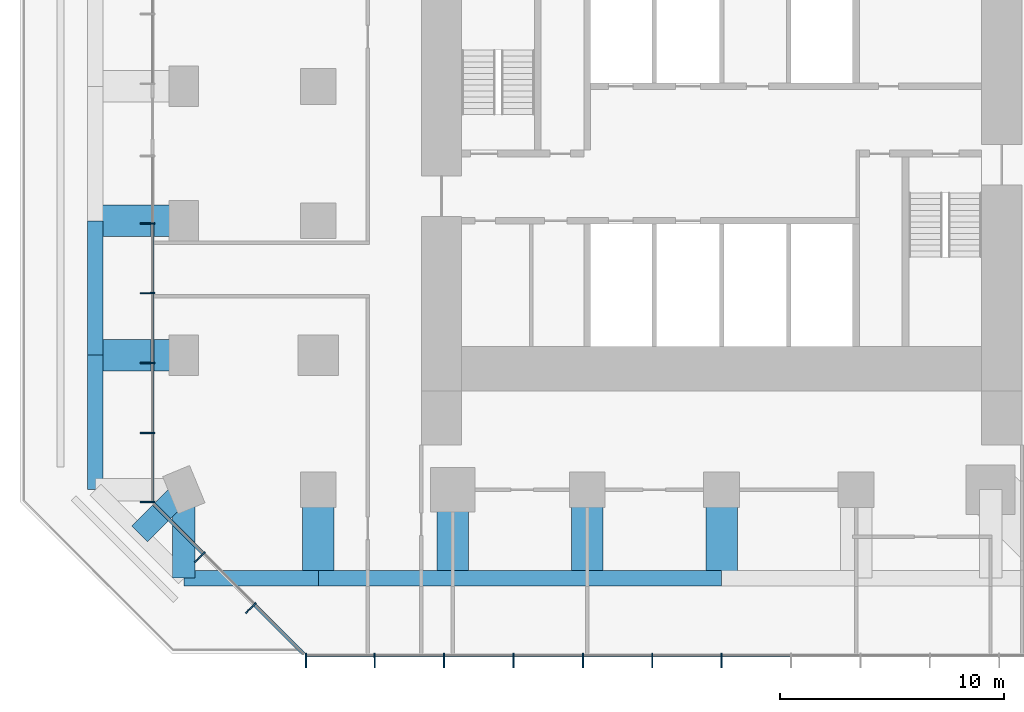
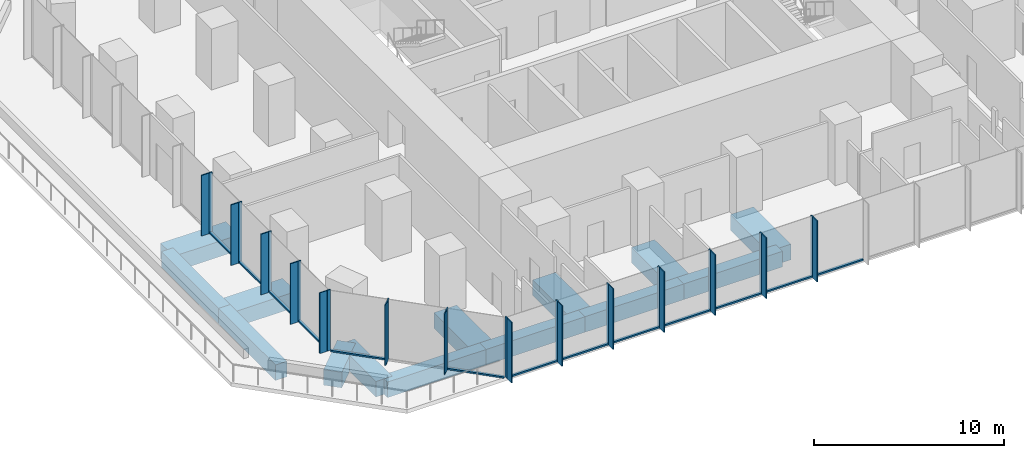
# One storey, part 2 of 11: 41 members, 14 beams, 3 elements without a shape of their own.
"""IFC4 building model written with IfcOpenShell, lengths in metres."""

from ifc_helpers import new_model, si_unit, direction, frame, origin, origin_2d, place, context, subcontext, project, spatial, rectangle, extrude, material, layer, layer_set, material_profile, profile_set, type_object, element, aggregate, save


model = new_model("IFC4")

# Units and contexts
model_context = context("Model", 3, precision=1e-05, world=origin(), true_north=direction((0.0, 1.0)))
body_context = subcontext(model_context, "Body", "Model", "MODEL_VIEW")
ifc_project = project(units=[si_unit("LENGTHUNIT", "METRE"), si_unit("AREAUNIT", "SQUARE_METRE"), si_unit("VOLUMEUNIT", "CUBIC_METRE"), si_unit("PLANEANGLEUNIT", "RADIAN"), si_unit("MASSUNIT", "GRAM", prefix="KILO")], contexts=[model_context])

# Site, building, storey
site_placement = place(None, origin())
site = spatial("IfcSite", under=ifc_project, at=site_placement, CompositionType="ELEMENT")
building_placement = place(site_placement, origin())
building = spatial("IfcBuilding", under=site, at=building_placement, Name="Highveld Stack Headquarters", CompositionType="ELEMENT")
storey_placement = place(building_placement, frame((0.0, 0.0, 140.60009765625)))
storey = spatial("IfcBuildingStorey", under=building, at=storey_placement, Name="L34", CompositionType="ELEMENT", Elevation=140.60009765625)

# Beams
ifc_material_1 = material(Name="Concrete C60/75", Category="concrete")
ifc_material_profile_1 = material_profile(ifc_material_1, rectangle(XDim=1.0, YDim=1.0, at=origin_2d()), Name="RC 1000x1000")
ifc_profile_set_1 = profile_set([ifc_material_profile_1], Name="Concrete C60/75")
beam_type_1 = type_object("IfcBeamType", Name="CANTILEVER RIB RC 1000x1000", PredefinedType="USERDEFINED", material=ifc_profile_set_1)
beam_1_placement = place(storey_placement, frame((-18.0, -12.0, -0.75), z_axis=(0.0, -1.0, 0.0), x_axis=(1.0, 0.0, 0.0)))
element("IfcBeam", 1, at=beam_1_placement, inside=storey, type_object=beam_type_1, Name="Cantilever rib 3/C L34", ObjectType="CANTILEVER RIB", PredefinedType="USERDEFINED", context=body_context, shape_type="SweptSolid", body=[
    extrude(rectangle(XDim=1.0, YDim=1.0, at=origin_2d()), origin(), (0.0, 0.0, 1.0), 3.949951171875),
])
beam_2_placement = place(storey_placement, frame((-18.0, -12.0, -0.75), z_axis=(-0.707106781187, -0.707106781187, 0.0), x_axis=(0.707106781187, -0.707106781187, 0.0)))
element("IfcBeam", 2, at=beam_2_placement, inside=storey, type_object=beam_type_1, Name="Cantilever rib 3/C L34", ObjectType="CANTILEVER RIB", PredefinedType="USERDEFINED", context=body_context, shape_type="SweptSolid", body=[
    extrude(rectangle(XDim=1.0, YDim=1.0, at=origin_2d()), origin(), (0.0, 0.0, 1.0), 2.793212890625),
])
ifc_material_2 = material(Name="Concrete C60/75", Category="concrete")
ifc_material_profile_2 = material_profile(ifc_material_2, rectangle(XDim=1.39990234375, YDim=1.0, at=origin_2d()), Name="RC 1400x1000")
ifc_profile_set_2 = profile_set([ifc_material_profile_2], Name="Concrete C60/75")
beam_type_2 = type_object("IfcBeamType", Name="CANTILEVER RIB RC 1400x1000", PredefinedType="USERDEFINED", material=ifc_profile_set_2)
for number, where, z_axis, x_axis, name in (
    (3, (-18.0, -6.0, -0.75), (-1.0, 0.0, 0.0), (0.0, -1.0, 0.0), "Cantilever rib 3/D L34"),
    (4, (-18.0, 0.0, -0.75), (-1.0, 0.0, 0.0), (0.0, -1.0, 0.0), "Cantilever rib 3/E L34"),
    (5, (-12.0, -12.0, -0.75), (0.0, -1.0, 0.0), (1.0, 0.0, 0.0), "Cantilever rib 4/C L34"),
    (6, (-6.0, -12.0, -0.75), (0.0, -1.0, 0.0), (1.0, 0.0, 0.0), "Cantilever rib 5/C L34"),
    (7, (0.0, -12.0, -0.75), (0.0, -1.0, 0.0), (1.0, 0.0, 0.0), "Cantilever rib 6/C L34"),
    (8, (6.0, -12.0, -0.75), (0.0, -1.0, 0.0), (1.0, 0.0, 0.0), "Cantilever rib 7/C L34"),
):
    element("IfcBeam", number, at=place(storey_placement, frame(where, z_axis=z_axis, x_axis=x_axis)), inside=storey, type_object=beam_type_2, Name=name, ObjectType="CANTILEVER RIB", PredefinedType="USERDEFINED", context=body_context, shape_type="SweptSolid", body=[
        extrude(rectangle(XDim=1.39990234375, YDim=1.0, at=origin_2d()), origin(), (0.0, 0.0, 1.0), 3.949951171875),
    ])

# Curtain wall, members
ifc_material_3 = material(Name="Aluminium bronze anodised", Category="aluminium")
ifc_layer_1 = layer(ifc_material_3, 0.199951171875)
ifc_layer_set_1 = layer_set([ifc_layer_1], Name="Aluminium bronze anodised")
curtain_wall_type_1 = type_object("IfcCurtainWallType", Name="CW1 TOWER UNITISED CURTAIN WALL", PredefinedType="NOTDEFINED", material=ifc_layer_set_1)
curtain_wall_1_placement = place(storey_placement, origin())
curtain_wall_1 = element("IfcCurtainWall", 9, at=curtain_wall_1_placement, inside=storey, type_object=curtain_wall_type_1, Name="Curtain wall CW1 L34 S", PredefinedType="NOTDEFINED")
ifc_material_4 = material(Name="Aluminium bronze anodised", Category="aluminium")
ifc_material_profile_3 = material_profile(ifc_material_4, rectangle(XDim=0.449951171875, YDim=0.06005859375, at=origin_2d()), Name="FIN 450x60")
ifc_profile_set_3 = profile_set([ifc_material_profile_3], Name="Aluminium bronze anodised")
member_type_1 = type_object("IfcMemberType", Name="CW1 BRONZE FIN 450x60", PredefinedType="USERDEFINED", material=ifc_profile_set_3)
member_1_placement = place(storey_placement, frame((-12.54736328125, -19.72509765625, 0.0), z_axis=(0.0, 0.0, 1.0), x_axis=(0.0, 1.0, 0.0)))
member_1 = element("IfcMember", 10, at=member_1_placement, type_object=member_type_1, Name="CW1 fin L34 1", ObjectType="FIN", PredefinedType="USERDEFINED", context=body_context, shape_type="SweptSolid", body=[
    extrude(rectangle(XDim=0.449951171875, YDim=0.06005859375, at=origin_2d()), origin(), (0.0, 0.0, 1.0), 3.89990234375),
])
member_2_placement = place(storey_placement, frame((-9.483154296875, -19.72509765625, 0.0), z_axis=(0.0, 0.0, 1.0), x_axis=(0.0, 1.0, 0.0)))
member_2 = element("IfcMember", 11, at=member_2_placement, type_object=member_type_1, Name="CW1 fin L34 2", ObjectType="FIN", PredefinedType="USERDEFINED", context=body_context, shape_type="SweptSolid", body=[
    extrude(rectangle(XDim=0.449951171875, YDim=0.06005859375, at=origin_2d()), origin(), (0.0, 0.0, 1.0), 3.89990234375),
])
member_3_placement = place(storey_placement, frame((-6.38671875, -19.72509765625, 0.0), z_axis=(0.0, 0.0, 1.0), x_axis=(0.0, 1.0, 0.0)))
member_3 = element("IfcMember", 12, at=member_3_placement, type_object=member_type_1, Name="CW1 fin L34 3", ObjectType="FIN", PredefinedType="USERDEFINED", context=body_context, shape_type="SweptSolid", body=[
    extrude(rectangle(XDim=0.449951171875, YDim=0.06005859375, at=origin_2d()), origin(), (0.0, 0.0, 1.0), 3.89990234375),
])
member_4_placement = place(storey_placement, frame((-3.2900390625, -19.72509765625, 0.0), z_axis=(0.0, 0.0, 1.0), x_axis=(0.0, 1.0, 0.0)))
member_4 = element("IfcMember", 13, at=member_4_placement, type_object=member_type_1, Name="CW1 fin L34 4", ObjectType="FIN", PredefinedType="USERDEFINED", context=body_context, shape_type="SweptSolid", body=[
    extrude(rectangle(XDim=0.449951171875, YDim=0.06005859375, at=origin_2d()), origin(), (0.0, 0.0, 1.0), 3.89990234375),
])
member_5_placement = place(storey_placement, frame((-0.193359375, -19.72509765625, 0.0), z_axis=(0.0, 0.0, 1.0), x_axis=(0.0, 1.0, 0.0)))
member_5 = element("IfcMember", 14, at=member_5_placement, type_object=member_type_1, Name="CW1 fin L34 5", ObjectType="FIN", PredefinedType="USERDEFINED", context=body_context, shape_type="SweptSolid", body=[
    extrude(rectangle(XDim=0.449951171875, YDim=0.06005859375, at=origin_2d()), origin(), (0.0, 0.0, 1.0), 3.89990234375),
])
member_6_placement = place(storey_placement, frame((2.9033203125, -19.72509765625, 0.0), z_axis=(0.0, 0.0, 1.0), x_axis=(0.0, 1.0, 0.0)))
member_6 = element("IfcMember", 15, at=member_6_placement, type_object=member_type_1, Name="CW1 fin L34 6", ObjectType="FIN", PredefinedType="USERDEFINED", context=body_context, shape_type="SweptSolid", body=[
    extrude(rectangle(XDim=0.449951171875, YDim=0.06005859375, at=origin_2d()), origin(), (0.0, 0.0, 1.0), 3.89990234375),
])
member_7_placement = place(storey_placement, frame((6.0, -19.72509765625, 0.0), z_axis=(0.0, 0.0, 1.0), x_axis=(0.0, 1.0, 0.0)))
member_7 = element("IfcMember", 16, at=member_7_placement, type_object=member_type_1, Name="CW1 fin L34 7", ObjectType="FIN", PredefinedType="USERDEFINED", context=body_context, shape_type="SweptSolid", body=[
    extrude(rectangle(XDim=0.449951171875, YDim=0.06005859375, at=origin_2d()), origin(), (0.0, 0.0, 1.0), 3.89990234375),
])

curtain_wall_2_placement = place(storey_placement, origin())
curtain_wall_2 = element("IfcCurtainWall", 17, at=curtain_wall_2_placement, inside=storey, type_object=curtain_wall_type_1, Name="Curtain wall CW1 L34 W-2", PredefinedType="NOTDEFINED")
member_8_placement = place(storey_placement, frame((-19.72509765625, -0.115966796875, 0.0), z_axis=(0.0, 0.0, 1.0), x_axis=(1.0, 0.0, 0.0)))
member_8 = element("IfcMember", 18, at=member_8_placement, type_object=member_type_1, Name="CW1 fin L34 2", ObjectType="FIN", PredefinedType="USERDEFINED", context=body_context, shape_type="SweptSolid", body=[
    extrude(rectangle(XDim=0.449951171875, YDim=0.06005859375, at=origin_2d()), origin(), (0.0, 0.0, 1.0), 3.89990234375),
])
member_9_placement = place(storey_placement, frame((-19.72509765625, -3.23193359375, 0.0), z_axis=(0.0, 0.0, 1.0), x_axis=(1.0, 0.0, 0.0)))
member_9 = element("IfcMember", 19, at=member_9_placement, type_object=member_type_1, Name="CW1 fin L34 3", ObjectType="FIN", PredefinedType="USERDEFINED", context=body_context, shape_type="SweptSolid", body=[
    extrude(rectangle(XDim=0.449951171875, YDim=0.06005859375, at=origin_2d()), origin(), (0.0, 0.0, 1.0), 3.89990234375),
])
member_10_placement = place(storey_placement, frame((-19.72509765625, -6.347900390625, 0.0), z_axis=(0.0, 0.0, 1.0), x_axis=(1.0, 0.0, 0.0)))
member_10 = element("IfcMember", 20, at=member_10_placement, type_object=member_type_1, Name="CW1 fin L34 4", ObjectType="FIN", PredefinedType="USERDEFINED", context=body_context, shape_type="SweptSolid", body=[
    extrude(rectangle(XDim=0.449951171875, YDim=0.06005859375, at=origin_2d()), origin(), (0.0, 0.0, 1.0), 3.89990234375),
])
member_11_placement = place(storey_placement, frame((-19.72509765625, -9.4638671875, 0.0), z_axis=(0.0, 0.0, 1.0), x_axis=(1.0, 0.0, 0.0)))
member_11 = element("IfcMember", 21, at=member_11_placement, type_object=member_type_1, Name="CW1 fin L34 5", ObjectType="FIN", PredefinedType="USERDEFINED", context=body_context, shape_type="SweptSolid", body=[
    extrude(rectangle(XDim=0.449951171875, YDim=0.06005859375, at=origin_2d()), origin(), (0.0, 0.0, 1.0), 3.89990234375),
])
member_12_placement = place(storey_placement, frame((-19.72509765625, -12.54736328125, 0.0), z_axis=(0.0, 0.0, 1.0), x_axis=(1.0, 0.0, 0.0)))
member_12 = element("IfcMember", 22, at=member_12_placement, type_object=member_type_1, Name="CW1 fin L34 6", ObjectType="FIN", PredefinedType="USERDEFINED", context=body_context, shape_type="SweptSolid", body=[
    extrude(rectangle(XDim=0.449951171875, YDim=0.06005859375, at=origin_2d()), origin(), (0.0, 0.0, 1.0), 3.89990234375),
])

# Member
ifc_material_5 = material(Name="Aluminium bronze anodised", Category="aluminium")
ifc_material_profile_4 = material_profile(ifc_material_5, rectangle(XDim=0.199951171875, YDim=0.06494140625, at=origin_2d()), Name="CW1 MULLION 65x200")
ifc_profile_set_4 = profile_set([ifc_material_profile_4], Name="Aluminium bronze anodised")
member_type_2 = type_object("IfcMemberType", Name="CW1 MULLION 65x200", PredefinedType="MULLION", material=ifc_profile_set_4)
member_13_placement = place(storey_placement, frame((-12.54736328125, -19.39990234375, 0.0), z_axis=(0.0, 0.0, 1.0), x_axis=(0.0, 1.0, 0.0)))
member_13 = element("IfcMember", 23, at=member_13_placement, type_object=member_type_2, Name="CW1 mullion L34 1", PredefinedType="MULLION", context=body_context, shape_type="SweptSolid", body=[
    extrude(rectangle(XDim=0.199951171875, YDim=0.06494140625, at=origin_2d()), origin(), (0.0, 0.0, 1.0), 3.89990234375),
])

member_14_placement = place(storey_placement, frame((-9.483154296875, -19.39990234375, 0.0), z_axis=(0.0, 0.0, 1.0), x_axis=(0.0, 1.0, 0.0)))
member_14 = element("IfcMember", 24, at=member_14_placement, type_object=member_type_2, Name="CW1 mullion L34 2", PredefinedType="MULLION", context=body_context, shape_type="SweptSolid", body=[
    extrude(rectangle(XDim=0.199951171875, YDim=0.06494140625, at=origin_2d()), origin(), (0.0, 0.0, 1.0), 3.89990234375),
])

member_15_placement = place(storey_placement, frame((-6.38671875, -19.39990234375, 0.0), z_axis=(0.0, 0.0, 1.0), x_axis=(0.0, 1.0, 0.0)))
member_15 = element("IfcMember", 25, at=member_15_placement, type_object=member_type_2, Name="CW1 mullion L34 3", PredefinedType="MULLION", context=body_context, shape_type="SweptSolid", body=[
    extrude(rectangle(XDim=0.199951171875, YDim=0.06494140625, at=origin_2d()), origin(), (0.0, 0.0, 1.0), 3.89990234375),
])

member_16_placement = place(storey_placement, frame((-3.2900390625, -19.39990234375, 0.0), z_axis=(0.0, 0.0, 1.0), x_axis=(0.0, 1.0, 0.0)))
member_16 = element("IfcMember", 26, at=member_16_placement, type_object=member_type_2, Name="CW1 mullion L34 4", PredefinedType="MULLION", context=body_context, shape_type="SweptSolid", body=[
    extrude(rectangle(XDim=0.199951171875, YDim=0.06494140625, at=origin_2d()), origin(), (0.0, 0.0, 1.0), 3.89990234375),
])

member_17_placement = place(storey_placement, frame((-0.193359375, -19.39990234375, 0.0), z_axis=(0.0, 0.0, 1.0), x_axis=(0.0, 1.0, 0.0)))
member_17 = element("IfcMember", 27, at=member_17_placement, type_object=member_type_2, Name="CW1 mullion L34 5", PredefinedType="MULLION", context=body_context, shape_type="SweptSolid", body=[
    extrude(rectangle(XDim=0.199951171875, YDim=0.06494140625, at=origin_2d()), origin(), (0.0, 0.0, 1.0), 3.89990234375),
])

member_18_placement = place(storey_placement, frame((2.9033203125, -19.39990234375, 0.0), z_axis=(0.0, 0.0, 1.0), x_axis=(0.0, 1.0, 0.0)))
member_18 = element("IfcMember", 28, at=member_18_placement, type_object=member_type_2, Name="CW1 mullion L34 6", PredefinedType="MULLION", context=body_context, shape_type="SweptSolid", body=[
    extrude(rectangle(XDim=0.199951171875, YDim=0.06494140625, at=origin_2d()), origin(), (0.0, 0.0, 1.0), 3.89990234375),
])

member_19_placement = place(storey_placement, frame((6.0, -19.39990234375, 0.0), z_axis=(0.0, 0.0, 1.0), x_axis=(0.0, 1.0, 0.0)))
member_19 = element("IfcMember", 29, at=member_19_placement, type_object=member_type_2, Name="CW1 mullion L34 7", PredefinedType="MULLION", context=body_context, shape_type="SweptSolid", body=[
    extrude(rectangle(XDim=0.199951171875, YDim=0.06494140625, at=origin_2d()), origin(), (0.0, 0.0, 1.0), 3.89990234375),
])

member_20_placement = place(storey_placement, frame((-19.39990234375, -0.115966796875, 0.0), z_axis=(0.0, 0.0, 1.0), x_axis=(1.0, 0.0, 0.0)))
member_20 = element("IfcMember", 30, at=member_20_placement, type_object=member_type_2, Name="CW1 mullion L34 2", PredefinedType="MULLION", context=body_context, shape_type="SweptSolid", body=[
    extrude(rectangle(XDim=0.199951171875, YDim=0.06494140625, at=origin_2d()), origin(), (0.0, 0.0, 1.0), 3.89990234375),
])

member_21_placement = place(storey_placement, frame((-19.39990234375, -3.23193359375, 0.0), z_axis=(0.0, 0.0, 1.0), x_axis=(1.0, 0.0, 0.0)))
member_21 = element("IfcMember", 31, at=member_21_placement, type_object=member_type_2, Name="CW1 mullion L34 3", PredefinedType="MULLION", context=body_context, shape_type="SweptSolid", body=[
    extrude(rectangle(XDim=0.199951171875, YDim=0.06494140625, at=origin_2d()), origin(), (0.0, 0.0, 1.0), 3.89990234375),
])

member_22_placement = place(storey_placement, frame((-19.39990234375, -6.347900390625, 0.0), z_axis=(0.0, 0.0, 1.0), x_axis=(1.0, 0.0, 0.0)))
member_22 = element("IfcMember", 32, at=member_22_placement, type_object=member_type_2, Name="CW1 mullion L34 4", PredefinedType="MULLION", context=body_context, shape_type="SweptSolid", body=[
    extrude(rectangle(XDim=0.199951171875, YDim=0.06494140625, at=origin_2d()), origin(), (0.0, 0.0, 1.0), 3.89990234375),
])

member_23_placement = place(storey_placement, frame((-19.39990234375, -9.4638671875, 0.0), z_axis=(0.0, 0.0, 1.0), x_axis=(1.0, 0.0, 0.0)))
member_23 = element("IfcMember", 33, at=member_23_placement, type_object=member_type_2, Name="CW1 mullion L34 5", PredefinedType="MULLION", context=body_context, shape_type="SweptSolid", body=[
    extrude(rectangle(XDim=0.199951171875, YDim=0.06494140625, at=origin_2d()), origin(), (0.0, 0.0, 1.0), 3.89990234375),
])

member_24_placement = place(storey_placement, frame((-19.39990234375, -12.54736328125, 0.0), z_axis=(0.0, 0.0, 1.0), x_axis=(1.0, 0.0, 0.0)))
member_24 = element("IfcMember", 34, at=member_24_placement, type_object=member_type_2, Name="CW1 mullion L34 6", PredefinedType="MULLION", context=body_context, shape_type="SweptSolid", body=[
    extrude(rectangle(XDim=0.199951171875, YDim=0.06494140625, at=origin_2d()), origin(), (0.0, 0.0, 1.0), 3.89990234375),
])

ifc_material_6 = material(Name="Aluminium bronze anodised", Category="aluminium")
ifc_material_profile_5 = material_profile(ifc_material_6, rectangle(XDim=0.14990234375, YDim=0.10009765625, at=origin_2d()), Name="CW1 TRANSOM 150x100")
ifc_profile_set_5 = profile_set([ifc_material_profile_5], Name="Aluminium bronze anodised")
member_type_3 = type_object("IfcMemberType", Name="CW1 STACK TRANSOM 150x100", PredefinedType="USERDEFINED", material=ifc_profile_set_5)
member_25_placement = place(storey_placement, frame((-12.514892578125, -19.39990234375, 0.0498046875), z_axis=(1.0, 0.0, 0.0), x_axis=(0.0, 1.0, 0.0)))
member_25 = element("IfcMember", 35, at=member_25_placement, type_object=member_type_3, Name="CW1 transom L34 1.1", ObjectType="TRANSOM", PredefinedType="USERDEFINED", context=body_context, shape_type="SweptSolid", body=[
    extrude(rectangle(XDim=0.14990234375, YDim=0.10009765625, at=origin_2d()), origin(), (0.0, 0.0, 1.0), 2.9990234375),
])

member_26_placement = place(storey_placement, frame((-9.45068359375, -19.39990234375, 0.0498046875), z_axis=(1.0, 0.0, 0.0), x_axis=(0.0, 1.0, 0.0)))
member_26 = element("IfcMember", 36, at=member_26_placement, type_object=member_type_3, Name="CW1 transom L34 2.1", ObjectType="TRANSOM", PredefinedType="USERDEFINED", context=body_context, shape_type="SweptSolid", body=[
    extrude(rectangle(XDim=0.14990234375, YDim=0.10009765625, at=origin_2d()), origin(), (0.0, 0.0, 1.0), 3.031494140625),
])

member_27_placement = place(storey_placement, frame((-6.35400390625, -19.39990234375, 0.0498046875), z_axis=(1.0, 0.0, 0.0), x_axis=(0.0, 1.0, 0.0)))
member_27 = element("IfcMember", 37, at=member_27_placement, type_object=member_type_3, Name="CW1 transom L34 3.1", ObjectType="TRANSOM", PredefinedType="USERDEFINED", context=body_context, shape_type="SweptSolid", body=[
    extrude(rectangle(XDim=0.14990234375, YDim=0.10009765625, at=origin_2d()), origin(), (0.0, 0.0, 1.0), 3.031494140625),
])

member_28_placement = place(storey_placement, frame((-3.257568359375, -19.39990234375, 0.0498046875), z_axis=(1.0, 0.0, 0.0), x_axis=(0.0, 1.0, 0.0)))
member_28 = element("IfcMember", 38, at=member_28_placement, type_object=member_type_3, Name="CW1 transom L34 4.1", ObjectType="TRANSOM", PredefinedType="USERDEFINED", context=body_context, shape_type="SweptSolid", body=[
    extrude(rectangle(XDim=0.14990234375, YDim=0.10009765625, at=origin_2d()), origin(), (0.0, 0.0, 1.0), 3.03173828125),
])

member_29_placement = place(storey_placement, frame((-0.160888671875, -19.39990234375, 0.0498046875), z_axis=(1.0, 0.0, 0.0), x_axis=(0.0, 1.0, 0.0)))
member_29 = element("IfcMember", 39, at=member_29_placement, type_object=member_type_3, Name="CW1 transom L34 5.1", ObjectType="TRANSOM", PredefinedType="USERDEFINED", context=body_context, shape_type="SweptSolid", body=[
    extrude(rectangle(XDim=0.14990234375, YDim=0.10009765625, at=origin_2d()), origin(), (0.0, 0.0, 1.0), 3.03173828125),
])

member_30_placement = place(storey_placement, frame((2.935791015625, -19.39990234375, 0.0498046875), z_axis=(1.0, 0.0, 0.0), x_axis=(0.0, 1.0, 0.0)))
member_30 = element("IfcMember", 40, at=member_30_placement, type_object=member_type_3, Name="CW1 transom L34 6.1", ObjectType="TRANSOM", PredefinedType="USERDEFINED", context=body_context, shape_type="SweptSolid", body=[
    extrude(rectangle(XDim=0.14990234375, YDim=0.10009765625, at=origin_2d()), origin(), (0.0, 0.0, 1.0), 3.03173828125),
])

member_31_placement = place(storey_placement, frame((6.032470703125, -19.39990234375, 0.0498046875), z_axis=(1.0, 0.0, 0.0), x_axis=(0.0, 1.0, 0.0)))
member_31 = element("IfcMember", 41, at=member_31_placement, type_object=member_type_3, Name="CW1 transom L34 7.1", ObjectType="TRANSOM", PredefinedType="USERDEFINED", context=body_context, shape_type="SweptSolid", body=[
    extrude(rectangle(XDim=0.14990234375, YDim=0.10009765625, at=origin_2d()), origin(), (0.0, 0.0, 1.0), 3.03173828125),
])

aggregate(curtain_wall_1, [member_13, member_1, member_14, member_2, member_15, member_3, member_16, member_4, member_17, member_5, member_18, member_6, member_19, member_7, member_25, member_26, member_27, member_28, member_29, member_30, member_31])

member_32_placement = place(storey_placement, frame((-19.39990234375, -0.1484375, 0.0498046875), z_axis=(0.0, -1.0, 0.0), x_axis=(1.0, 0.0, 0.0)))
member_32 = element("IfcMember", 42, at=member_32_placement, type_object=member_type_3, Name="CW1 transom L34 7.1", ObjectType="TRANSOM", PredefinedType="USERDEFINED", context=body_context, shape_type="SweptSolid", body=[
    extrude(rectangle(XDim=0.14990234375, YDim=0.10009765625, at=origin_2d()), origin(), (0.0, 0.0, 1.0), 3.051025390625),
])

member_33_placement = place(storey_placement, frame((-19.39990234375, -3.264404296875, 0.0498046875), z_axis=(0.0, -1.0, 0.0), x_axis=(1.0, 0.0, 0.0)))
member_33 = element("IfcMember", 43, at=member_33_placement, type_object=member_type_3, Name="CW1 transom L34 8.1", ObjectType="TRANSOM", PredefinedType="USERDEFINED", context=body_context, shape_type="SweptSolid", body=[
    extrude(rectangle(XDim=0.14990234375, YDim=0.10009765625, at=origin_2d()), origin(), (0.0, 0.0, 1.0), 3.051025390625),
])

member_34_placement = place(storey_placement, frame((-19.39990234375, -6.38037109375, 0.0498046875), z_axis=(0.0, -1.0, 0.0), x_axis=(1.0, 0.0, 0.0)))
member_34 = element("IfcMember", 44, at=member_34_placement, type_object=member_type_3, Name="CW1 transom L34 9.1", ObjectType="TRANSOM", PredefinedType="USERDEFINED", context=body_context, shape_type="SweptSolid", body=[
    extrude(rectangle(XDim=0.14990234375, YDim=0.10009765625, at=origin_2d()), origin(), (0.0, 0.0, 1.0), 3.051025390625),
])

member_35_placement = place(storey_placement, frame((-19.39990234375, -9.496337890625, 0.0498046875), z_axis=(0.0, -1.0, 0.0), x_axis=(1.0, 0.0, 0.0)))
member_35 = element("IfcMember", 45, at=member_35_placement, type_object=member_type_3, Name="CW1 transom L34 10.1", ObjectType="TRANSOM", PredefinedType="USERDEFINED", context=body_context, shape_type="SweptSolid", body=[
    extrude(rectangle(XDim=0.14990234375, YDim=0.10009765625, at=origin_2d()), origin(), (0.0, 0.0, 1.0), 3.0185546875),
])

aggregate(curtain_wall_2, [member_20, member_8, member_21, member_9, member_22, member_10, member_23, member_11, member_24, member_12, member_32, member_33, member_34, member_35])

# Curtain wall, members
ifc_material_7 = material(Name="Aluminium bronze anodised", Category="aluminium")
ifc_layer_2 = layer(ifc_material_7, 0.199951171875)
ifc_layer_set_2 = layer_set([ifc_layer_2], Name="Aluminium bronze anodised")
curtain_wall_type_2 = type_object("IfcCurtainWallType", Name="CW2 TOWER CHAMFER UNITISED CURTAIN WALL", PredefinedType="NOTDEFINED", material=ifc_layer_set_2)
curtain_wall_3_placement = place(storey_placement, origin())
curtain_wall_3 = element("IfcCurtainWall", 46, at=curtain_wall_3_placement, inside=storey, type_object=curtain_wall_type_2, Name="Curtain wall CW2 L34 SW", PredefinedType="NOTDEFINED")
ifc_material_8 = material(Name="Aluminium bronze anodised", Category="aluminium")
ifc_material_profile_6 = material_profile(ifc_material_8, rectangle(XDim=0.449951171875, YDim=0.06005859375, at=origin_2d()), Name="FIN 450x60")
ifc_profile_set_6 = profile_set([ifc_material_profile_6], Name="Aluminium bronze anodised")
member_type_4 = type_object("IfcMemberType", Name="CW2 BRONZE FIN 450x60", PredefinedType="USERDEFINED", material=ifc_profile_set_6)
member_36_placement = place(storey_placement, frame((-17.3564453125, -15.0830078125, 0.0), z_axis=(0.0, 0.0, 1.0), x_axis=(0.707106781187, 0.707106781187, 0.0)))
member_36 = element("IfcMember", 47, at=member_36_placement, type_object=member_type_4, Name="CW2 fin L34 1", ObjectType="FIN", PredefinedType="USERDEFINED", context=body_context, shape_type="SweptSolid", body=[
    extrude(rectangle(XDim=0.449951171875, YDim=0.06005859375, at=origin_2d()), origin(), (0.0, 0.0, 1.0), 3.89990234375),
])
member_37_placement = place(storey_placement, frame((-15.0830078125, -17.3564453125, 0.0), z_axis=(0.0, 0.0, 1.0), x_axis=(0.707106781187, 0.707106781187, 0.0)))
member_37 = element("IfcMember", 48, at=member_37_placement, type_object=member_type_4, Name="CW2 fin L34 2", ObjectType="FIN", PredefinedType="USERDEFINED", context=body_context, shape_type="SweptSolid", body=[
    extrude(rectangle(XDim=0.449951171875, YDim=0.06005859375, at=origin_2d()), origin(), (0.0, 0.0, 1.0), 3.89990234375),
])
ifc_material_9 = material(Name="Aluminium bronze anodised", Category="aluminium")
ifc_material_profile_7 = material_profile(ifc_material_9, rectangle(XDim=0.199951171875, YDim=0.06494140625, at=origin_2d()), Name="CW2 MULLION 65x200")
ifc_profile_set_7 = profile_set([ifc_material_profile_7], Name="Aluminium bronze anodised")
member_type_5 = type_object("IfcMemberType", Name="CW2 MULLION 65x200", PredefinedType="MULLION", material=ifc_profile_set_7)
member_38_placement = place(storey_placement, frame((-17.126708984375, -14.853271484375, 0.0), z_axis=(0.0, 0.0, 1.0), x_axis=(0.707106781187, 0.707106781187, 0.0)))
member_38 = element("IfcMember", 49, at=member_38_placement, type_object=member_type_5, Name="CW2 mullion L34 1", PredefinedType="MULLION", context=body_context, shape_type="SweptSolid", body=[
    extrude(rectangle(XDim=0.199951171875, YDim=0.06494140625, at=origin_2d()), origin(), (0.0, 0.0, 1.0), 3.89990234375),
])
member_39_placement = place(storey_placement, frame((-14.853271484375, -17.126708984375, 0.0), z_axis=(0.0, 0.0, 1.0), x_axis=(0.707106781187, 0.707106781187, 0.0)))
member_39 = element("IfcMember", 50, at=member_39_placement, type_object=member_type_5, Name="CW2 mullion L34 2", PredefinedType="MULLION", context=body_context, shape_type="SweptSolid", body=[
    extrude(rectangle(XDim=0.199951171875, YDim=0.06494140625, at=origin_2d()), origin(), (0.0, 0.0, 1.0), 3.89990234375),
])
ifc_material_10 = material(Name="Aluminium bronze anodised", Category="aluminium")
ifc_material_profile_8 = material_profile(ifc_material_10, rectangle(XDim=0.14990234375, YDim=0.10009765625, at=origin_2d()), Name="CW2 TRANSOM 150x100")
ifc_profile_set_8 = profile_set([ifc_material_profile_8], Name="Aluminium bronze anodised")
member_type_6 = type_object("IfcMemberType", Name="CW2 STACK TRANSOM 150x100", PredefinedType="USERDEFINED", material=ifc_profile_set_8)
member_40_placement = place(storey_placement, frame((-19.329345703125, -12.650634765625, 0.0498046875), z_axis=(0.707106781187, -0.707106781187, 0.0), x_axis=(0.707106781187, 0.707106781187, 0.0)))
member_40 = element("IfcMember", 51, at=member_40_placement, type_object=member_type_6, Name="CW2 transom L34 1.1", ObjectType="TRANSOM", PredefinedType="USERDEFINED", context=body_context, shape_type="SweptSolid", body=[
    extrude(rectangle(XDim=0.14990234375, YDim=0.10009765625, at=origin_2d()), origin(), (0.0, 0.0, 1.0), 3.08251953125),
])
member_41_placement = place(storey_placement, frame((-14.830322265625, -17.149658203125, 0.0498046875), z_axis=(0.707106781187, -0.707106781187, 0.0), x_axis=(0.707106781187, 0.707106781187, 0.0)))
member_41 = element("IfcMember", 52, at=member_41_placement, type_object=member_type_6, Name="CW2 transom L34 3.1", ObjectType="TRANSOM", PredefinedType="USERDEFINED", context=body_context, shape_type="SweptSolid", body=[
    extrude(rectangle(XDim=0.14990234375, YDim=0.10009765625, at=origin_2d()), origin(), (0.0, 0.0, 1.0), 3.08251953125),
])
aggregate(curtain_wall_3, [member_38, member_36, member_39, member_37, member_40, member_41])

# Beams
ifc_material_11 = material(Name="Concrete C60/75", Category="concrete")
ifc_material_profile_9 = material_profile(ifc_material_11, rectangle(XDim=0.699951171875, YDim=1.0, at=origin_2d()), Name="RC 700x1000")
ifc_profile_set_9 = profile_set([ifc_material_profile_9], Name="Concrete C60/75")
beam_type_3 = type_object("IfcBeamType", Name="RIB TIP BEAM RC 700x1000", PredefinedType="SPANDREL", material=ifc_profile_set_9)
for number, where, z_axis, x_axis, name in (
    (53, (-21.949951171875, -12.0, -0.75), (0.0, 1.0, 0.0), (-1.0, 0.0, 0.0), "Rib tip beam 3/C to 3/D L34"),
    (54, (-21.949951171875, -6.0, -0.75), (0.0, 1.0, 0.0), (-1.0, 0.0, 0.0), "Rib tip beam 3/D to 3/E L34"),
    (55, (-18.0, -15.949951171875, -0.75), (1.0, 0.0, 0.0), (0.0, 1.0, 0.0), "Rib tip beam 3/C to 4/C L34"),
    (56, (-12.0, -15.949951171875, -0.75), (1.0, 0.0, 0.0), (0.0, 1.0, 0.0), "Rib tip beam 4/C to 5/C L34"),
    (57, (-6.0, -15.949951171875, -0.75), (1.0, 0.0, 0.0), (0.0, 1.0, 0.0), "Rib tip beam 5/C to 6/C L34"),
    (58, (0.0, -15.949951171875, -0.75), (1.0, 0.0, 0.0), (0.0, 1.0, 0.0), "Rib tip beam 6/C to 7/C L34"),
):
    element("IfcBeam", number, at=place(storey_placement, frame(where, z_axis=z_axis, x_axis=x_axis)), inside=storey, type_object=beam_type_3, Name=name, PredefinedType="SPANDREL", context=body_context, shape_type="SweptSolid", body=[
        extrude(rectangle(XDim=0.699951171875, YDim=1.0, at=origin_2d()), origin(), (0.0, 0.0, 1.0), 6.0),
    ])

save(model, "model.ifc")
